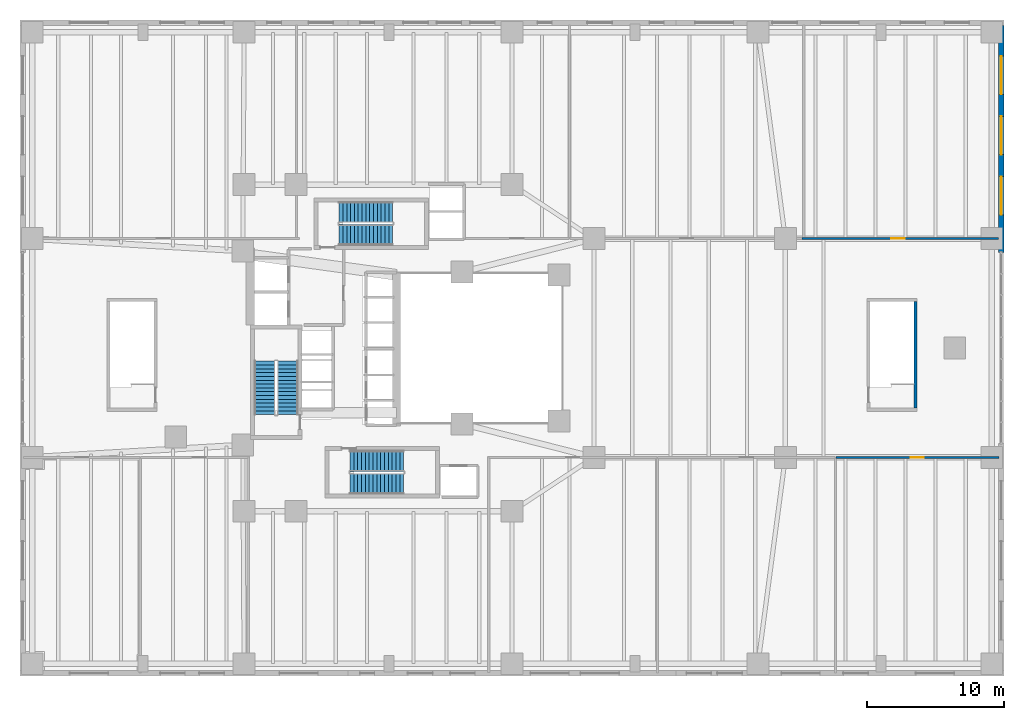
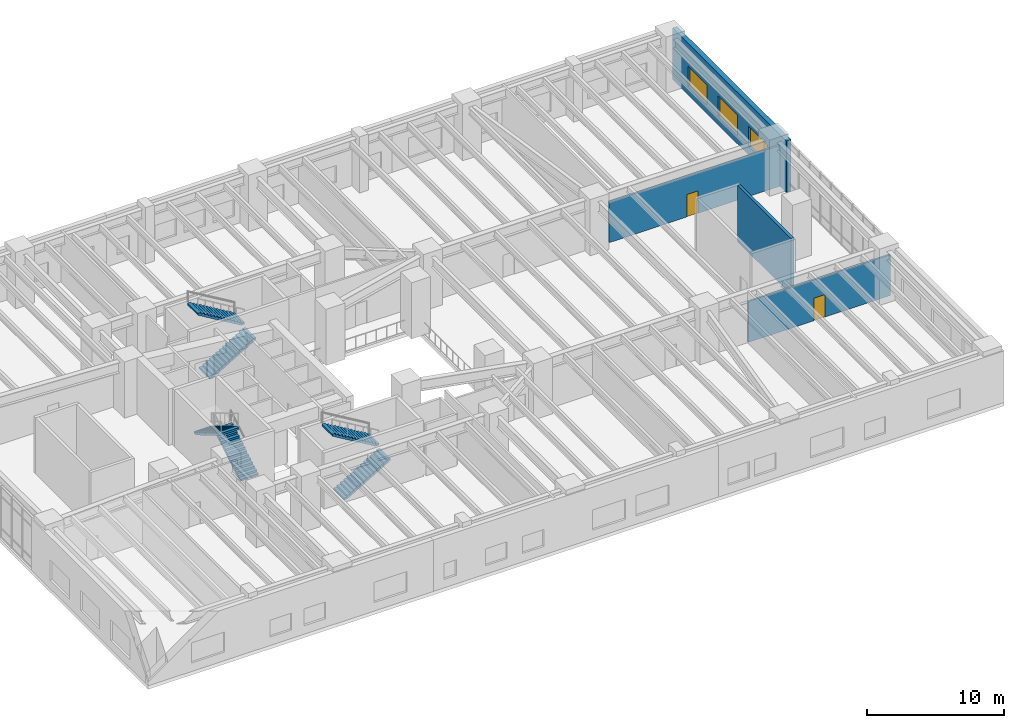
# One storey, part 16 of 18: 6 stair flights, 4 walls, 3 windows, 2 doors, 5 openings, 3 elements without a shape of their own.
"""IFC4 building model written with IfcOpenShell, lengths in metres."""

from ifc_helpers import new_model, si_unit, direction, frame, frame_2d, origin, place, context, subcontext, project, spatial, polyline, rectangle, outline, extrude, material, layer, layer_set, type_object, element, fill, aggregate, save


model = new_model("IFC4")

# Units and contexts
model_context = context("Model", 3, precision=1e-05, world=origin(), true_north=direction((0.0, 1.0)))
body_context = subcontext(model_context, "Body", "Model", "MODEL_VIEW")
ifc_project = project(units=[si_unit("LENGTHUNIT", "METRE"), si_unit("AREAUNIT", "SQUARE_METRE"), si_unit("VOLUMEUNIT", "CUBIC_METRE"), si_unit("PLANEANGLEUNIT", "RADIAN"), si_unit("MASSUNIT", "GRAM", prefix="KILO"), si_unit("THERMODYNAMICTEMPERATUREUNIT", "KELVIN"), si_unit("POWERUNIT", "WATT")], contexts=[model_context])

# Site, building, storey
site_placement = place(None, origin())
site = spatial("IfcSite", under=ifc_project, at=site_placement, CompositionType="ELEMENT")
building_placement = place(site_placement, origin())
building = spatial("IfcBuilding", under=site, at=building_placement, Name="Skarre Station Tower", CompositionType="ELEMENT")
storey_placement = place(building_placement, frame((0.0, 0.0, 16.0)))
storey = spatial("IfcBuildingStorey", under=building, at=storey_placement, Name="L04", CompositionType="ELEMENT", Elevation=16.0)

# Wall, opening, door
ifc_material_1 = material(Name="Acoustic Steel-Stud Gypsum Partition", Category="steel")
ifc_layer_1 = layer(ifc_material_1, 0.14990234375, Name="Acoustic Steel-Stud Gypsum Partition")
ifc_layer_set_1 = layer_set([ifc_layer_1], Name="Acoustic Steel-Stud Gypsum Partition")
wall_type_1 = type_object("IfcWallType", Name="Fire-Rated Corridor Acoustic Partition 150", PredefinedType="PARTITIONING", material=ifc_layer_set_1)
wall_1_placement = place(storey_placement, frame((59.7041015625, 15.97998046875, 0.0), z_axis=(0.0, 0.0, 1.0), x_axis=(1.0, 0.0, 0.0)))
wall_1 = element("IfcWall", 1, at=wall_1_placement, inside=storey, type_object=wall_type_1, Name="L04 Interior Partition WL-PT-L04-PDSE3-CW", PredefinedType="PARTITIONING", context=body_context, shape_type="SweptSolid", body=[
    extrude(rectangle(XDim=11.916015625, YDim=0.14990234375, at=frame_2d((5.9580078125, 0.0))), origin(), (0.0, 0.0, 1.0), 3.632080078125),
])
opening_1_placement = place(wall_1_placement, frame((5.47802734375, 0.0, 0.0)))
opening_1 = element("IfcOpeningElement", 2, at=opening_1_placement, cuts=wall_1, Name="Opening DR-FD60", PredefinedType="OPENING", context=body_context, shape_type="SweptSolid", body=[
    extrude(rectangle(XDim=0.9599609375, YDim=2.0, at=frame_2d((0.47998046875, 1.0))), frame((0.0, 0.0849609375, 0.0), z_axis=(0.0, -1.0, 0.0), x_axis=(1.0, 0.0, 0.0)), (0.0, 0.0, 1.0), 0.169921875),
])
ifc_material_2 = material(Name="Nordic White-Oak Veneer Solid-Core Fire Leaf", Category="wood")
door_type = type_object("IfcDoorType", Name="Corridor Suite Entry Fire Door FD60 960x2150", OperationType="SINGLE_SWING_LEFT", PredefinedType="DOOR", material=ifc_material_2)
door_1_placement = place(opening_1_placement, origin())
door_1 = element("IfcDoor", 3, at=door_1_placement, inside=storey, type_object=door_type, Name="L04 PDSE3 Entry Door", OperationType="SINGLE_SWING_LEFT", OverallHeight=2.0, OverallWidth=0.9599609375, PredefinedType="DOOR", context=body_context, shape_type="SweptSolid", body=[
    extrude(rectangle(XDim=0.9599609375, YDim=2.0, at=frame_2d((0.47998046875, 1.0))), frame((0.0, 0.02490234375, 0.0), z_axis=(0.0, -1.0, 0.0), x_axis=(1.0, 0.0, 0.0)), (0.0, 0.0, 1.0), 0.050048828125),
])
fill(opening_1, door_1)

wall_2_placement = place(storey_placement, frame((71.60498046875, 32.02001953125, 0.0), z_axis=(0.0, 0.0, 1.0), x_axis=(-1.0, 0.0, 0.0)))
wall_2 = element("IfcWall", 4, at=wall_2_placement, inside=storey, type_object=wall_type_1, Name="L04 Interior Partition WL-PT-L04-PDN4-CW", PredefinedType="PARTITIONING", context=body_context, shape_type="SweptSolid", body=[
    extrude(rectangle(XDim=14.380859375, YDim=0.14990234375, at=frame_2d((7.1904296875, 0.0))), origin(), (0.0, 0.0, 1.0), 3.632080078125),
])
opening_2_placement = place(wall_2_placement, frame((6.8798828125, 0.0, 0.0)))
opening_2 = element("IfcOpeningElement", 5, at=opening_2_placement, cuts=wall_2, Name="Opening DR-FD60", PredefinedType="OPENING", context=body_context, shape_type="SweptSolid", body=[
    extrude(rectangle(XDim=0.9599609375, YDim=2.0, at=frame_2d((0.47998046875, 1.0))), frame((0.0, 0.0849609375, 0.0), z_axis=(0.0, -1.0, 0.0), x_axis=(1.0, 0.0, 0.0)), (0.0, 0.0, 1.0), 0.169921875),
])
door_2_placement = place(opening_2_placement, origin())
door_2 = element("IfcDoor", 6, at=door_2_placement, inside=storey, type_object=door_type, Name="L04 PDN4 Entry Door", OperationType="SINGLE_SWING_LEFT", OverallHeight=2.0, OverallWidth=0.9599609375, PredefinedType="DOOR", context=body_context, shape_type="SweptSolid", body=[
    extrude(rectangle(XDim=0.9599609375, YDim=2.0, at=frame_2d((0.47998046875, 1.0))), frame((0.0, 0.02490234375, 0.0), z_axis=(0.0, -1.0, 0.0), x_axis=(1.0, 0.0, 0.0)), (0.0, 0.0, 1.0), 0.050048828125),
])
fill(opening_2, door_2)

# Wall, openings, windows
ifc_material_3 = material(Name="Precast concrete C45/55", Category="concrete")
ifc_layer_2 = layer(ifc_material_3, 0.39990234375, Name="Precast concrete C45/55")
ifc_layer_set_2 = layer_set([ifc_layer_2], Name="Precast concrete C45/55")
wall_type_2 = type_object("IfcWallType", Name="Nordic Granite Station Podium Wall 400", PredefinedType="STANDARD", material=ifc_layer_set_2)
wall_3_placement = place(storey_placement, frame((71.800048828125, 47.60009765625, 0.0), z_axis=(0.0, 0.0, 1.0), x_axis=(0.0, -1.0, 0.0)))
wall_3 = element("IfcWall", 7, at=wall_3_placement, inside=storey, type_object=wall_type_2, Name="L04 Podium Granite Wall EA", PredefinedType="STANDARD", context=body_context, shape_type="SweptSolid", body=[
    extrude(rectangle(XDim=16.60009765625, YDim=0.39990234375, at=frame_2d((8.300048828125, 0.0))), origin(), (0.0, 0.0, 1.0), 4.580078125),
])
opening_3_placement = place(wall_3_placement, frame((2.242919921875, 0.0, 0.75)))
opening_3 = element("IfcOpeningElement", 8, at=opening_3_placement, cuts=wall_3, Name="Opening WN-POD", PredefinedType="OPENING", context=body_context, shape_type="SweptSolid", body=[
    extrude(rectangle(XDim=2.800048828125, YDim=1.800048828125, at=frame_2d((1.39990234375, 0.89990234375))), frame((0.0, 0.2099609375, 0.0), z_axis=(0.0, -1.0, 0.0), x_axis=(1.0, 0.0, 0.0)), (0.0, 0.0, 1.0), 0.419921875),
])
opening_4_placement = place(wall_3_placement, frame((6.64990234375, 0.0, 0.75)))
opening_4 = element("IfcOpeningElement", 9, at=opening_4_placement, cuts=wall_3, Name="Opening WN-POD", PredefinedType="OPENING", context=body_context, shape_type="SweptSolid", body=[
    extrude(rectangle(XDim=2.800048828125, YDim=1.800048828125, at=frame_2d((1.39990234375, 0.89990234375))), frame((0.0, 0.2099609375, 0.0), z_axis=(0.0, -1.0, 0.0), x_axis=(1.0, 0.0, 0.0)), (0.0, 0.0, 1.0), 0.419921875),
])
opening_5_placement = place(wall_3_placement, frame((11.056884765625, 0.0, 0.75)))
opening_5 = element("IfcOpeningElement", 10, at=opening_5_placement, cuts=wall_3, Name="Opening WN-POD", PredefinedType="OPENING", context=body_context, shape_type="SweptSolid", body=[
    extrude(rectangle(XDim=2.800048828125, YDim=1.800048828125, at=frame_2d((1.39990234375, 0.89990234375))), frame((0.0, 0.2099609375, 0.0), z_axis=(0.0, -1.0, 0.0), x_axis=(1.0, 0.0, 0.0)), (0.0, 0.0, 1.0), 0.419921875),
])
ifc_material_4 = material(Name="Low-Iron Triple Glazing with Bronze Anodized Frame", Category="glass")
window_type = type_object("IfcWindowType", Name="Podium Clerestory Ribbon Window 2800x1800", PartitioningType="SINGLE_PANEL", PredefinedType="WINDOW", material=ifc_material_4)
window_1_placement = place(opening_3_placement, origin())
window_1 = element("IfcWindow", 11, at=window_1_placement, inside=storey, type_object=window_type, Name="L04 Facade Window WL-POD-L04-EA-1", OverallHeight=1.800048828125, OverallWidth=2.800048828125, PartitioningType="SINGLE_PANEL", PredefinedType="WINDOW", context=body_context, shape_type="SweptSolid", body=[
    extrude(rectangle(XDim=2.800048828125, YDim=1.800048828125, at=frame_2d((1.39990234375, 0.89990234375))), frame((0.0, 0.030029296875, 0.0), z_axis=(0.0, -1.0, 0.0), x_axis=(1.0, 0.0, 0.0)), (0.0, 0.0, 1.0), 0.06005859375),
])
fill(opening_3, window_1)
window_2_placement = place(opening_4_placement, origin())
window_2 = element("IfcWindow", 12, at=window_2_placement, inside=storey, type_object=window_type, Name="L04 Facade Window WL-POD-L04-EA-2", OverallHeight=1.800048828125, OverallWidth=2.800048828125, PartitioningType="SINGLE_PANEL", PredefinedType="WINDOW", context=body_context, shape_type="SweptSolid", body=[
    extrude(rectangle(XDim=2.800048828125, YDim=1.800048828125, at=frame_2d((1.39990234375, 0.89990234375))), frame((0.0, 0.030029296875, 0.0), z_axis=(0.0, -1.0, 0.0), x_axis=(1.0, 0.0, 0.0)), (0.0, 0.0, 1.0), 0.06005859375),
])
fill(opening_4, window_2)
window_3_placement = place(opening_5_placement, origin())
window_3 = element("IfcWindow", 13, at=window_3_placement, inside=storey, type_object=window_type, Name="L04 Facade Window WL-POD-L04-EA-3", OverallHeight=1.800048828125, OverallWidth=2.800048828125, PartitioningType="SINGLE_PANEL", PredefinedType="WINDOW", context=body_context, shape_type="SweptSolid", body=[
    extrude(rectangle(XDim=2.800048828125, YDim=1.800048828125, at=frame_2d((1.39990234375, 0.89990234375))), frame((0.0, 0.030029296875, 0.0), z_axis=(0.0, -1.0, 0.0), x_axis=(1.0, 0.0, 0.0)), (0.0, 0.0, 1.0), 0.06005859375),
])
fill(opening_5, window_3)

# Wall
ifc_material_5 = material(Name="Concrete C50/60", Category="concrete")
ifc_layer_3 = layer(ifc_material_5, 0.239990234375, Name="Concrete C50/60")
ifc_layer_set_3 = layer_set([ifc_layer_3], Name="Concrete C50/60")
wall_type_3 = type_object("IfcWallType", Name="RC Core Shear Wall 240", PredefinedType="SHEAR", material=ifc_layer_set_3)
wall_4_placement = place(storey_placement, frame((65.52001953125, 19.60009765625, 0.0), z_axis=(0.0, 0.0, 1.0), x_axis=(0.0, 1.0, 0.0)))
element("IfcWall", 14, at=wall_4_placement, inside=storey, type_object=wall_type_3, Name="L04 Podium Stair ST-5 East Shear Wall", PredefinedType="SHEAR", context=body_context, shape_type="SweptSolid", body=[
    extrude(rectangle(XDim=7.7998046875, YDim=0.239990234375, at=frame_2d((3.89990234375, 0.0))), origin(), (0.0, 0.0, 1.0), 5.0),
])

# Stair, stair flights
ifc_material_6 = material(Name="Concrete C40/50", Category="concrete")
stair_type_1 = type_object("IfcStairType", Name="Reinforced Concrete Exit Stair ST-1", PredefinedType="HALF_TURN_STAIR", material=ifc_material_6)
stair_1_placement = place(storey_placement, origin())
stair_1 = element("IfcStair", 15, at=stair_1_placement, inside=storey, type_object=stair_type_1, Name="L04 Core Exit Stair ST-1", PredefinedType="HALF_TURN_STAIR")
stair_flight_type_1 = type_object("IfcStairFlightType", Name="Reinforced Concrete Stair Flight ST-1", PredefinedType="STRAIGHT", material=ifc_material_6)
stair_flight_1_placement = place(storey_placement, frame((19.590087890625, 19.1201171875, 0.0), z_axis=(0.0, 0.0, 1.0), x_axis=(0.0, 1.0, 0.0)))
stair_flight_1 = element("IfcStairFlight", 16, at=stair_flight_1_placement, type_object=stair_flight_type_1, Name="ST-1 flight 1", NumberOfRisers=15, NumberOfTreads=14, PredefinedType="STRAIGHT", RiserHeight=0.166666667, TreadLength=0.28, context=body_context, shape_type="SweptSolid", body=[
    extrude(outline(polyline([(0.0, 0.0), (0.0, 0.166748046875), (0.280029296875, 0.166748046875), (0.280029296875, 0.333251953125), (0.56005859375, 0.333251953125), (0.56005859375, 0.5), (0.840087890625, 0.5), (0.840087890625, 0.666748046875), (1.1201171875, 0.666748046875), (1.1201171875, 0.833251953125), (1.39990234375, 0.833251953125), (1.39990234375, 1.0), (1.679931640625, 1.0), (1.679931640625, 1.166748046875), (1.9599609375, 1.166748046875), (1.9599609375, 1.333251953125), (2.239990234375, 1.333251953125), (2.239990234375, 1.5), (2.52001953125, 1.5), (2.52001953125, 1.666748046875), (2.800048828125, 1.666748046875), (2.800048828125, 1.833251953125), (3.080078125, 1.833251953125), (3.080078125, 2.0), (3.360107421875, 2.0), (3.360107421875, 2.166748046875), (3.639892578125, 2.166748046875), (3.639892578125, 2.333251953125), (3.919921875, 2.333251953125), (3.919921875, 2.5), (3.919921875, 2.158935546875), (0.29296875, 0.0), (0.0, 0.0)])), frame((0.0, 0.760009765625, 0.0), z_axis=(0.0, -1.0, 0.0), x_axis=(1.0, 0.0, 0.0)), (0.0, 0.0, 1.0), 1.52001953125),
])
stair_flight_2_placement = place(storey_placement, frame((17.909912109375, 23.0400390625, 2.5), z_axis=(0.0, 0.0, 1.0), x_axis=(0.0, -1.0, 0.0)))
stair_flight_2 = element("IfcStairFlight", 17, at=stair_flight_2_placement, type_object=stair_flight_type_1, Name="ST-1 flight 2", NumberOfRisers=15, NumberOfTreads=14, PredefinedType="STRAIGHT", RiserHeight=0.166666667, TreadLength=0.28, context=body_context, shape_type="SweptSolid", body=[
    extrude(outline(polyline([(0.0, 0.0), (0.0, 0.166748046875), (0.280029296875, 0.166748046875), (0.280029296875, 0.333251953125), (0.56005859375, 0.333251953125), (0.56005859375, 0.5), (0.840087890625, 0.5), (0.840087890625, 0.666748046875), (1.1201171875, 0.666748046875), (1.1201171875, 0.833251953125), (1.39990234375, 0.833251953125), (1.39990234375, 1.0), (1.679931640625, 1.0), (1.679931640625, 1.166748046875), (1.9599609375, 1.166748046875), (1.9599609375, 1.333251953125), (2.239990234375, 1.333251953125), (2.239990234375, 1.5), (2.52001953125, 1.5), (2.52001953125, 1.666748046875), (2.800048828125, 1.666748046875), (2.800048828125, 1.833251953125), (3.080078125, 1.833251953125), (3.080078125, 2.0), (3.360107421875, 2.0), (3.360107421875, 2.166748046875), (3.639892578125, 2.166748046875), (3.639892578125, 2.333251953125), (3.919921875, 2.333251953125), (3.919921875, 2.5), (3.919921875, 2.158935546875), (0.29296875, 0.0), (0.0, 0.0)])), frame((0.0, 0.760009765625, 0.0), z_axis=(0.0, -1.0, 0.0), x_axis=(1.0, 0.0, 0.0)), (0.0, 0.0, 1.0), 1.52001953125),
])
aggregate(stair_1, [stair_flight_1, stair_flight_2])

stair_type_2 = type_object("IfcStairType", Name="Reinforced Concrete Exit Stair ST-2", PredefinedType="HALF_TURN_STAIR", material=ifc_material_6)
stair_2_placement = place(storey_placement, origin())
stair_2 = element("IfcStair", 18, at=stair_2_placement, inside=storey, type_object=stair_type_2, Name="L04 Core Exit Stair ST-2", PredefinedType="HALF_TURN_STAIR")
stair_flight_type_2 = type_object("IfcStairFlightType", Name="Reinforced Concrete Stair Flight ST-2", PredefinedType="STRAIGHT", material=ifc_material_6)
stair_flight_3_placement = place(storey_placement, frame((24.14990234375, 14.06005859375, 0.0), z_axis=(0.0, 0.0, 1.0), x_axis=(1.0, 0.0, 0.0)))
stair_flight_3 = element("IfcStairFlight", 19, at=stair_flight_3_placement, type_object=stair_flight_type_2, Name="ST-2 flight 1", NumberOfRisers=15, NumberOfTreads=14, PredefinedType="STRAIGHT", RiserHeight=0.166666667, TreadLength=0.28, context=body_context, shape_type="SweptSolid", body=[
    extrude(outline(polyline([(0.0, 0.0), (0.0, 0.166748046875), (0.280029296875, 0.166748046875), (0.280029296875, 0.333251953125), (0.56005859375, 0.333251953125), (0.56005859375, 0.5), (0.840087890625, 0.5), (0.840087890625, 0.666748046875), (1.1201171875, 0.666748046875), (1.1201171875, 0.833251953125), (1.39990234375, 0.833251953125), (1.39990234375, 1.0), (1.679931640625, 1.0), (1.679931640625, 1.166748046875), (1.9599609375, 1.166748046875), (1.9599609375, 1.333251953125), (2.239990234375, 1.333251953125), (2.239990234375, 1.5), (2.52001953125, 1.5), (2.52001953125, 1.666748046875), (2.800048828125, 1.666748046875), (2.800048828125, 1.833251953125), (3.080078125, 1.833251953125), (3.080078125, 2.0), (3.360107421875, 2.0), (3.360107421875, 2.166748046875), (3.639892578125, 2.166748046875), (3.639892578125, 2.333251953125), (3.919921875, 2.333251953125), (3.919921875, 2.5), (3.919921875, 2.158935546875), (0.29296875, 0.0), (0.0, 0.0)])), frame((0.0, 0.760009765625, 0.0), z_axis=(0.0, -1.0, 0.0), x_axis=(1.0, 0.0, 0.0)), (0.0, 0.0, 1.0), 1.52001953125),
])
stair_flight_4_placement = place(storey_placement, frame((28.070068359375, 15.739990234375, 2.5), z_axis=(0.0, 0.0, 1.0), x_axis=(-1.0, 0.0, 0.0)))
stair_flight_4 = element("IfcStairFlight", 20, at=stair_flight_4_placement, type_object=stair_flight_type_2, Name="ST-2 flight 2", NumberOfRisers=15, NumberOfTreads=14, PredefinedType="STRAIGHT", RiserHeight=0.166666667, TreadLength=0.28, context=body_context, shape_type="SweptSolid", body=[
    extrude(outline(polyline([(0.0, 0.0), (0.0, 0.166748046875), (0.280029296875, 0.166748046875), (0.280029296875, 0.333251953125), (0.56005859375, 0.333251953125), (0.56005859375, 0.5), (0.840087890625, 0.5), (0.840087890625, 0.666748046875), (1.1201171875, 0.666748046875), (1.1201171875, 0.833251953125), (1.39990234375, 0.833251953125), (1.39990234375, 1.0), (1.679931640625, 1.0), (1.679931640625, 1.166748046875), (1.9599609375, 1.166748046875), (1.9599609375, 1.333251953125), (2.239990234375, 1.333251953125), (2.239990234375, 1.5), (2.52001953125, 1.5), (2.52001953125, 1.666748046875), (2.800048828125, 1.666748046875), (2.800048828125, 1.833251953125), (3.080078125, 1.833251953125), (3.080078125, 2.0), (3.360107421875, 2.0), (3.360107421875, 2.166748046875), (3.639892578125, 2.166748046875), (3.639892578125, 2.333251953125), (3.919921875, 2.333251953125), (3.919921875, 2.5), (3.919921875, 2.158935546875), (0.29296875, 0.0), (0.0, 0.0)])), frame((0.0, 0.760009765625, 0.0), z_axis=(0.0, -1.0, 0.0), x_axis=(1.0, 0.0, 0.0)), (0.0, 0.0, 1.0), 1.52001953125),
])
aggregate(stair_2, [stair_flight_3, stair_flight_4])

stair_type_3 = type_object("IfcStairType", Name="Reinforced Concrete Exit Stair ST-3", PredefinedType="HALF_TURN_STAIR", material=ifc_material_6)
stair_3_placement = place(storey_placement, origin())
stair_3 = element("IfcStair", 21, at=stair_3_placement, inside=storey, type_object=stair_type_3, Name="L04 Core Exit Stair ST-3", PredefinedType="HALF_TURN_STAIR")
stair_flight_type_3 = type_object("IfcStairFlightType", Name="Reinforced Concrete Stair Flight ST-3", PredefinedType="STRAIGHT", material=ifc_material_6)
stair_flight_5_placement = place(storey_placement, frame((23.35009765625, 32.260009765625, 0.0), z_axis=(0.0, 0.0, 1.0), x_axis=(1.0, 0.0, 0.0)))
stair_flight_5 = element("IfcStairFlight", 22, at=stair_flight_5_placement, type_object=stair_flight_type_3, Name="ST-3 flight 1", NumberOfRisers=15, NumberOfTreads=14, PredefinedType="STRAIGHT", RiserHeight=0.166666667, TreadLength=0.28, context=body_context, shape_type="SweptSolid", body=[
    extrude(outline(polyline([(0.0, 0.0), (0.0, 0.166748046875), (0.280029296875, 0.166748046875), (0.280029296875, 0.333251953125), (0.56005859375, 0.333251953125), (0.56005859375, 0.5), (0.840087890625, 0.5), (0.840087890625, 0.666748046875), (1.1201171875, 0.666748046875), (1.1201171875, 0.833251953125), (1.39990234375, 0.833251953125), (1.39990234375, 1.0), (1.679931640625, 1.0), (1.679931640625, 1.166748046875), (1.9599609375, 1.166748046875), (1.9599609375, 1.333251953125), (2.239990234375, 1.333251953125), (2.239990234375, 1.5), (2.52001953125, 1.5), (2.52001953125, 1.666748046875), (2.800048828125, 1.666748046875), (2.800048828125, 1.833251953125), (3.080078125, 1.833251953125), (3.080078125, 2.0), (3.360107421875, 2.0), (3.360107421875, 2.166748046875), (3.639892578125, 2.166748046875), (3.639892578125, 2.333251953125), (3.919921875, 2.333251953125), (3.919921875, 2.5), (3.919921875, 2.158935546875), (0.29296875, 0.0), (0.0, 0.0)])), frame((0.0, 0.760009765625, 0.0), z_axis=(0.0, -1.0, 0.0), x_axis=(1.0, 0.0, 0.0)), (0.0, 0.0, 1.0), 1.52001953125),
])
stair_flight_6_placement = place(storey_placement, frame((27.27001953125, 33.93994140625, 2.5), z_axis=(0.0, 0.0, 1.0), x_axis=(-1.0, 0.0, 0.0)))
stair_flight_6 = element("IfcStairFlight", 23, at=stair_flight_6_placement, type_object=stair_flight_type_3, Name="ST-3 flight 2", NumberOfRisers=15, NumberOfTreads=14, PredefinedType="STRAIGHT", RiserHeight=0.166666667, TreadLength=0.28, context=body_context, shape_type="SweptSolid", body=[
    extrude(outline(polyline([(0.0, 0.0), (0.0, 0.166748046875), (0.280029296875, 0.166748046875), (0.280029296875, 0.333251953125), (0.56005859375, 0.333251953125), (0.56005859375, 0.5), (0.840087890625, 0.5), (0.840087890625, 0.666748046875), (1.1201171875, 0.666748046875), (1.1201171875, 0.833251953125), (1.39990234375, 0.833251953125), (1.39990234375, 1.0), (1.679931640625, 1.0), (1.679931640625, 1.166748046875), (1.9599609375, 1.166748046875), (1.9599609375, 1.333251953125), (2.239990234375, 1.333251953125), (2.239990234375, 1.5), (2.52001953125, 1.5), (2.52001953125, 1.666748046875), (2.800048828125, 1.666748046875), (2.800048828125, 1.833251953125), (3.080078125, 1.833251953125), (3.080078125, 2.0), (3.360107421875, 2.0), (3.360107421875, 2.166748046875), (3.639892578125, 2.166748046875), (3.639892578125, 2.333251953125), (3.919921875, 2.333251953125), (3.919921875, 2.5), (3.919921875, 2.158935546875), (0.29296875, 0.0), (0.0, 0.0)])), frame((0.0, 0.760009765625, 0.0), z_axis=(0.0, -1.0, 0.0), x_axis=(1.0, 0.0, 0.0)), (0.0, 0.0, 1.0), 1.52001953125),
])
aggregate(stair_3, [stair_flight_5, stair_flight_6])

save(model, "model.ifc")
